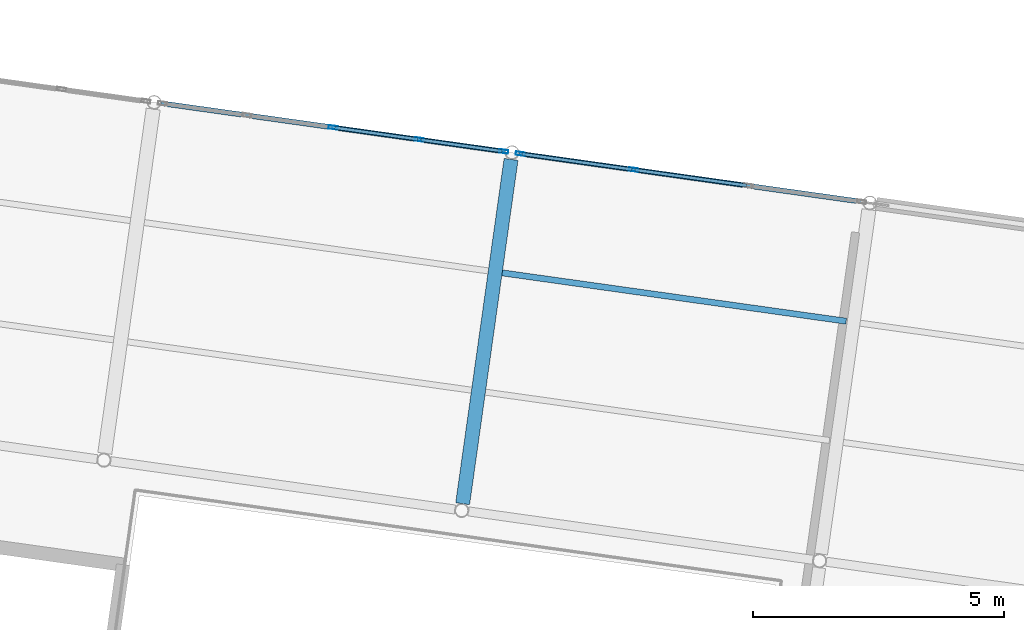
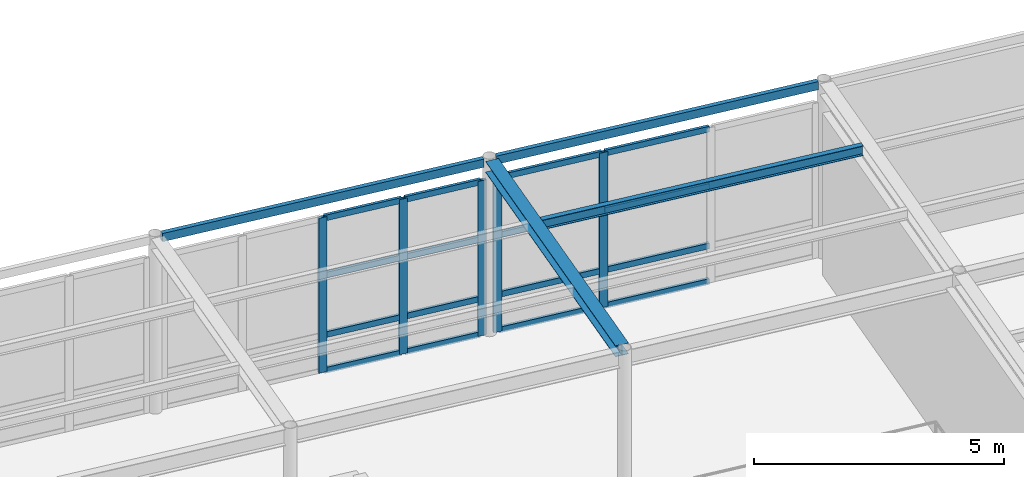
# One storey, part 29 of 67: 21 members, 4 beams, 2 elements without a shape of their own.
"""IFC4 building model written with IfcOpenShell, lengths in metres."""

from ifc_helpers import new_model, si_unit, direction, frame, origin, origin_2d, place, context, subcontext, project, spatial, hollow_rectangle, i_section, extrude, material, layer, layer_set, material_profile, profile_set, type_object, element, aggregate, save


model = new_model("IFC4")

# Units and contexts
model_context = context("Model", 3, precision=1e-05, world=origin(), true_north=direction((0.0, 1.0)))
body_context = subcontext(model_context, "Body", "Model", "MODEL_VIEW")
ifc_project = project(units=[si_unit("LENGTHUNIT", "METRE"), si_unit("AREAUNIT", "SQUARE_METRE"), si_unit("VOLUMEUNIT", "CUBIC_METRE"), si_unit("PLANEANGLEUNIT", "RADIAN"), si_unit("MASSUNIT", "GRAM", prefix="KILO")], contexts=[model_context])

# Site, building, storey
site_placement = place(None, origin())
site = spatial("IfcSite", under=ifc_project, at=site_placement, CompositionType="ELEMENT")
building_placement = place(site_placement, origin())
building = spatial("IfcBuilding", under=site, at=building_placement, Name="Kharisveld Research Institute", CompositionType="ELEMENT")
storey_placement = place(building_placement, frame((0.0, 0.0, 9.60009765625)))
storey = spatial("IfcBuildingStorey", under=building, at=storey_placement, Name="L02", CompositionType="ELEMENT", Elevation=9.60009765625)

# Beam
ifc_material_1 = material(Name="Steel S355JR", Category="steel")
ifc_material_profile_1 = material_profile(ifc_material_1, i_section(OverallWidth=0.280029296875, OverallDepth=0.27001953125, WebThickness=0.008056640625, FlangeThickness=0.012939453125, at=origin_2d()))
ifc_profile_set_1 = profile_set([ifc_material_profile_1], Name="Steel S355JR")
beam_type_1 = type_object("IfcBeamType", Name="BM_ST_HEA280", PredefinedType="BEAM", material=ifc_profile_set_1)
beam_1_placement = place(storey_placement, frame((91.282958984375, 29.890869140625, 4.169921875), z_axis=(0.139180848611, 0.990266979849, 0.0), x_axis=(-0.990266979849, 0.139180848611, 0.0)))
element("IfcBeam", 1, at=beam_1_placement, inside=storey, type_object=beam_type_1, Name="BM:V4:L02:V2_2", PredefinedType="BEAM", context=body_context, shape_type="SweptSolid", body=[
    extrude(i_section(OverallWidth=0.280029296875, OverallDepth=0.27001953125, WebThickness=0.008056640625, FlangeThickness=0.012939453125, at=origin_2d()), origin(), (0.0, 0.0, 1.0), 6.927001953125),
])

# Curtain wall, members
ifc_material_2 = material(Name="Thermally Broken Aluminium Curtain Wall", Category="aluminium")
ifc_layer_1 = layer(ifc_material_2, 0.159912109375)
ifc_layer_set_1 = layer_set([ifc_layer_1], Name="CW_SYS_05")
curtain_wall_type_1 = type_object("IfcCurtainWallType", Name="CW_SYS_05", PredefinedType="NOTDEFINED", material=ifc_layer_set_1)
curtain_wall_1_placement = place(storey_placement, origin())
curtain_wall_1 = element("IfcCurtainWall", 2, at=curtain_wall_1_placement, inside=storey, type_object=curtain_wall_type_1, Name="CW:V4:L02:N1", PredefinedType="NOTDEFINED")
ifc_material_3 = material(Name="Anodised Aluminium AW-6063-T6", Category="aluminium")
ifc_material_profile_2 = material_profile(ifc_material_3, hollow_rectangle(XDim=0.070068359375, YDim=0.179931640625, WallThickness=0.00439453125, at=origin_2d()))
ifc_profile_set_2 = profile_set([ifc_material_profile_2], Name="Anodised Aluminium AW-6063-T6")
member_type_1 = type_object("IfcMemberType", Name="CW_MUL_180", PredefinedType="MULLION", material=ifc_profile_set_2)
member_1_placement = place(storey_placement, frame((88.700927734375, 37.38671875, 0.0), z_axis=(0.0, 0.0, 1.0), x_axis=(0.139173120957, 0.990268065931, 0.0)))
member_1 = element("IfcMember", 3, at=member_1_placement, type_object=member_type_1, Name="CW-05 mullion 3", PredefinedType="MULLION", context=body_context, shape_type="SweptSolid", body=[
    extrude(hollow_rectangle(XDim=0.070068359375, YDim=0.179931640625, WallThickness=0.00439453125, at=origin_2d()), origin(), (0.0, 0.0, 1.0), 3.77978515625),
])
member_2_placement = place(storey_placement, frame((90.41845703125, 37.145263671875, 0.0), z_axis=(0.0, 0.0, 1.0), x_axis=(0.139173120957, 0.990268065931, 0.0)))
member_2 = element("IfcMember", 4, at=member_2_placement, type_object=member_type_1, Name="CW-05 mullion 4", PredefinedType="MULLION", context=body_context, shape_type="SweptSolid", body=[
    extrude(hollow_rectangle(XDim=0.070068359375, YDim=0.179931640625, WallThickness=0.00439453125, at=origin_2d()), origin(), (0.0, 0.0, 1.0), 3.77978515625),
])
member_3_placement = place(storey_placement, frame((92.10107421875, 36.908935546875, 0.0), z_axis=(0.0, 0.0, 1.0), x_axis=(0.139173120957, 0.990268065931, 0.0)))
member_3 = element("IfcMember", 5, at=member_3_placement, type_object=member_type_1, Name="CW-05 mullion 5", PredefinedType="MULLION", context=body_context, shape_type="SweptSolid", body=[
    extrude(hollow_rectangle(XDim=0.070068359375, YDim=0.179931640625, WallThickness=0.00439453125, at=origin_2d()), origin(), (0.0, 0.0, 1.0), 3.77978515625),
])

ifc_material_4 = material(Name="Thermally Broken Aluminium Curtain Wall", Category="aluminium")
ifc_layer_2 = layer(ifc_material_4, 0.159912109375)
ifc_layer_set_2 = layer_set([ifc_layer_2], Name="CW_SYS_06")
curtain_wall_type_2 = type_object("IfcCurtainWallType", Name="CW_SYS_06", PredefinedType="NOTDEFINED", material=ifc_layer_set_2)
curtain_wall_2_placement = place(storey_placement, origin())
curtain_wall_2 = element("IfcCurtainWall", 6, at=curtain_wall_2_placement, inside=storey, type_object=curtain_wall_type_2, Name="CW:V4:L02:N2", PredefinedType="NOTDEFINED")
member_4_placement = place(storey_placement, frame((92.430908203125, 36.862548828125, 0.0), z_axis=(0.0, 0.0, 1.0), x_axis=(0.139173262318, 0.990268046064, 0.0)))
member_4 = element("IfcMember", 7, at=member_4_placement, type_object=member_type_1, Name="CW-06 mullion 1", PredefinedType="MULLION", context=body_context, shape_type="SweptSolid", body=[
    extrude(hollow_rectangle(XDim=0.070068359375, YDim=0.179931640625, WallThickness=0.00439453125, at=origin_2d()), origin(), (0.0, 0.0, 1.0), 3.77978515625),
])
member_5_placement = place(storey_placement, frame((94.68603515625, 36.545654296875, 0.0), z_axis=(0.0, 0.0, 1.0), x_axis=(0.139173262318, 0.990268046064, 0.0)))
member_5 = element("IfcMember", 8, at=member_5_placement, type_object=member_type_1, Name="CW-06 mullion 2", PredefinedType="MULLION", context=body_context, shape_type="SweptSolid", body=[
    extrude(hollow_rectangle(XDim=0.070068359375, YDim=0.179931640625, WallThickness=0.00439453125, at=origin_2d()), origin(), (0.0, 0.0, 1.0), 3.77978515625),
])

# Member
ifc_material_5 = material(Name="Anodised Aluminium AW-6063-T6", Category="aluminium")
ifc_material_profile_3 = material_profile(ifc_material_5, hollow_rectangle(XDim=0.06494140625, YDim=0.139892578125, WallThickness=0.00390625, at=origin_2d()))
ifc_profile_set_3 = profile_set([ifc_material_profile_3], Name="Anodised Aluminium AW-6063-T6")
member_type_2 = type_object("IfcMemberType", Name="CW_TRN_140", PredefinedType="USERDEFINED", material=ifc_profile_set_3)
member_6_placement = place(storey_placement, frame((88.735595703125, 37.3818359375, 0.032470703125), z_axis=(0.990263846723, -0.139203138874, 0.0), x_axis=(0.139203138874, 0.990263846723, 0.0)))
member_6 = element("IfcMember", 9, at=member_6_placement, type_object=member_type_2, Name="CW-05 transom 3.1", ObjectType="TRANSOM", PredefinedType="USERDEFINED", context=body_context, shape_type="SweptSolid", body=[
    extrude(hollow_rectangle(XDim=0.06494140625, YDim=0.139892578125, WallThickness=0.00390625, at=origin_2d()), origin(), (0.0, 0.0, 1.0), 1.664306640625),
])

member_7_placement = place(storey_placement, frame((88.735595703125, 37.3818359375, 0.89990234375), z_axis=(0.990263846723, -0.139203138874, 0.0), x_axis=(0.139203138874, 0.990263846723, 0.0)))
member_7 = element("IfcMember", 10, at=member_7_placement, type_object=member_type_2, Name="CW-05 transom 3.2", ObjectType="TRANSOM", PredefinedType="USERDEFINED", context=body_context, shape_type="SweptSolid", body=[
    extrude(hollow_rectangle(XDim=0.06494140625, YDim=0.139892578125, WallThickness=0.00390625, at=origin_2d()), origin(), (0.0, 0.0, 1.0), 1.664306640625),
])

member_8_placement = place(storey_placement, frame((88.735595703125, 37.3818359375, 2.349853515625), z_axis=(0.990263846723, -0.139203138874, 0.0), x_axis=(0.139203138874, 0.990263846723, 0.0)))
member_8 = element("IfcMember", 11, at=member_8_placement, type_object=member_type_2, Name="CW-05 transom 3.3", ObjectType="TRANSOM", PredefinedType="USERDEFINED", context=body_context, shape_type="SweptSolid", body=[
    extrude(hollow_rectangle(XDim=0.06494140625, YDim=0.139892578125, WallThickness=0.00390625, at=origin_2d()), origin(), (0.0, 0.0, 1.0), 1.664306640625),
])

member_9_placement = place(storey_placement, frame((88.735595703125, 37.3818359375, 3.747314453125), z_axis=(0.990263846723, -0.139203138874, 0.0), x_axis=(0.139203138874, 0.990263846723, 0.0)))
member_9 = element("IfcMember", 12, at=member_9_placement, type_object=member_type_2, Name="CW-05 transom 3.4", ObjectType="TRANSOM", PredefinedType="USERDEFINED", context=body_context, shape_type="SweptSolid", body=[
    extrude(hollow_rectangle(XDim=0.06494140625, YDim=0.139892578125, WallThickness=0.00390625, at=origin_2d()), origin(), (0.0, 0.0, 1.0), 1.664306640625),
])

member_10_placement = place(storey_placement, frame((90.453125, 37.140380859375, 0.032470703125), z_axis=(0.990282393742, -0.139071135199, 0.0), x_axis=(0.139071135199, 0.990282393742, 0.0)))
member_10 = element("IfcMember", 13, at=member_10_placement, type_object=member_type_2, Name="CW-05 transom 4.1", ObjectType="TRANSOM", PredefinedType="USERDEFINED", context=body_context, shape_type="SweptSolid", body=[
    extrude(hollow_rectangle(XDim=0.06494140625, YDim=0.139892578125, WallThickness=0.00390625, at=origin_2d()), origin(), (0.0, 0.0, 1.0), 1.629150390625),
])

member_11_placement = place(storey_placement, frame((90.453125, 37.140380859375, 0.89990234375), z_axis=(0.990282393742, -0.139071135199, 0.0), x_axis=(0.139071135199, 0.990282393742, 0.0)))
member_11 = element("IfcMember", 14, at=member_11_placement, type_object=member_type_2, Name="CW-05 transom 4.2", ObjectType="TRANSOM", PredefinedType="USERDEFINED", context=body_context, shape_type="SweptSolid", body=[
    extrude(hollow_rectangle(XDim=0.06494140625, YDim=0.139892578125, WallThickness=0.00390625, at=origin_2d()), origin(), (0.0, 0.0, 1.0), 1.629150390625),
])

member_12_placement = place(storey_placement, frame((90.453125, 37.140380859375, 2.349853515625), z_axis=(0.990282393742, -0.139071135199, 0.0), x_axis=(0.139071135199, 0.990282393742, 0.0)))
member_12 = element("IfcMember", 15, at=member_12_placement, type_object=member_type_2, Name="CW-05 transom 4.3", ObjectType="TRANSOM", PredefinedType="USERDEFINED", context=body_context, shape_type="SweptSolid", body=[
    extrude(hollow_rectangle(XDim=0.06494140625, YDim=0.139892578125, WallThickness=0.00390625, at=origin_2d()), origin(), (0.0, 0.0, 1.0), 1.629150390625),
])

member_13_placement = place(storey_placement, frame((90.453125, 37.140380859375, 3.747314453125), z_axis=(0.990282393742, -0.139071135199, 0.0), x_axis=(0.139071135199, 0.990282393742, 0.0)))
member_13 = element("IfcMember", 16, at=member_13_placement, type_object=member_type_2, Name="CW-05 transom 4.4", ObjectType="TRANSOM", PredefinedType="USERDEFINED", context=body_context, shape_type="SweptSolid", body=[
    extrude(hollow_rectangle(XDim=0.06494140625, YDim=0.139892578125, WallThickness=0.00390625, at=origin_2d()), origin(), (0.0, 0.0, 1.0), 1.629150390625),
])

aggregate(curtain_wall_1, [member_1, member_2, member_3, member_6, member_7, member_8, member_9, member_10, member_11, member_12, member_13])

member_14_placement = place(storey_placement, frame((92.465576171875, 36.857666015625, 0.032470703125), z_axis=(0.990272063635, -0.139144672853, 0.0), x_axis=(0.139144672853, 0.990272063635, 0.0)))
member_14 = element("IfcMember", 17, at=member_14_placement, type_object=member_type_2, Name="CW-06 transom 1.1", ObjectType="TRANSOM", PredefinedType="USERDEFINED", context=body_context, shape_type="SweptSolid", body=[
    extrude(hollow_rectangle(XDim=0.06494140625, YDim=0.139892578125, WallThickness=0.00390625, at=origin_2d()), origin(), (0.0, 0.0, 1.0), 2.207275390625),
])

member_15_placement = place(storey_placement, frame((92.465576171875, 36.857666015625, 0.89990234375), z_axis=(0.990272063635, -0.139144672853, 0.0), x_axis=(0.139144672853, 0.990272063635, 0.0)))
member_15 = element("IfcMember", 18, at=member_15_placement, type_object=member_type_2, Name="CW-06 transom 1.2", ObjectType="TRANSOM", PredefinedType="USERDEFINED", context=body_context, shape_type="SweptSolid", body=[
    extrude(hollow_rectangle(XDim=0.06494140625, YDim=0.139892578125, WallThickness=0.00390625, at=origin_2d()), origin(), (0.0, 0.0, 1.0), 2.207275390625),
])

member_16_placement = place(storey_placement, frame((92.465576171875, 36.857666015625, 2.349853515625), z_axis=(0.990272063635, -0.139144672853, 0.0), x_axis=(0.139144672853, 0.990272063635, 0.0)))
member_16 = element("IfcMember", 19, at=member_16_placement, type_object=member_type_2, Name="CW-06 transom 1.3", ObjectType="TRANSOM", PredefinedType="USERDEFINED", context=body_context, shape_type="SweptSolid", body=[
    extrude(hollow_rectangle(XDim=0.06494140625, YDim=0.139892578125, WallThickness=0.00390625, at=origin_2d()), origin(), (0.0, 0.0, 1.0), 2.207275390625),
])

member_17_placement = place(storey_placement, frame((92.465576171875, 36.857666015625, 3.747314453125), z_axis=(0.990272063635, -0.139144672853, 0.0), x_axis=(0.139144672853, 0.990272063635, 0.0)))
member_17 = element("IfcMember", 20, at=member_17_placement, type_object=member_type_2, Name="CW-06 transom 1.4", ObjectType="TRANSOM", PredefinedType="USERDEFINED", context=body_context, shape_type="SweptSolid", body=[
    extrude(hollow_rectangle(XDim=0.06494140625, YDim=0.139892578125, WallThickness=0.00390625, at=origin_2d()), origin(), (0.0, 0.0, 1.0), 2.207275390625),
])

member_18_placement = place(storey_placement, frame((94.720703125, 36.540771484375, 0.032470703125), z_axis=(0.990271353113, -0.139149729442, 0.0), x_axis=(0.139149729442, 0.990271353113, 0.0)))
member_18 = element("IfcMember", 21, at=member_18_placement, type_object=member_type_2, Name="CW-06 transom 2.1", ObjectType="TRANSOM", PredefinedType="USERDEFINED", context=body_context, shape_type="SweptSolid", body=[
    extrude(hollow_rectangle(XDim=0.06494140625, YDim=0.139892578125, WallThickness=0.00390625, at=origin_2d()), origin(), (0.0, 0.0, 1.0), 2.2421875),
])

member_19_placement = place(storey_placement, frame((94.720703125, 36.540771484375, 0.89990234375), z_axis=(0.990271353113, -0.139149729442, 0.0), x_axis=(0.139149729442, 0.990271353113, 0.0)))
member_19 = element("IfcMember", 22, at=member_19_placement, type_object=member_type_2, Name="CW-06 transom 2.2", ObjectType="TRANSOM", PredefinedType="USERDEFINED", context=body_context, shape_type="SweptSolid", body=[
    extrude(hollow_rectangle(XDim=0.06494140625, YDim=0.139892578125, WallThickness=0.00390625, at=origin_2d()), origin(), (0.0, 0.0, 1.0), 2.2421875),
])

member_20_placement = place(storey_placement, frame((94.720703125, 36.540771484375, 2.349853515625), z_axis=(0.990271353113, -0.139149729442, 0.0), x_axis=(0.139149729442, 0.990271353113, 0.0)))
member_20 = element("IfcMember", 23, at=member_20_placement, type_object=member_type_2, Name="CW-06 transom 2.3", ObjectType="TRANSOM", PredefinedType="USERDEFINED", context=body_context, shape_type="SweptSolid", body=[
    extrude(hollow_rectangle(XDim=0.06494140625, YDim=0.139892578125, WallThickness=0.00390625, at=origin_2d()), origin(), (0.0, 0.0, 1.0), 2.2421875),
])

member_21_placement = place(storey_placement, frame((94.720703125, 36.540771484375, 3.747314453125), z_axis=(0.990271353113, -0.139149729442, 0.0), x_axis=(0.139149729442, 0.990271353113, 0.0)))
member_21 = element("IfcMember", 24, at=member_21_placement, type_object=member_type_2, Name="CW-06 transom 2.4", ObjectType="TRANSOM", PredefinedType="USERDEFINED", context=body_context, shape_type="SweptSolid", body=[
    extrude(hollow_rectangle(XDim=0.06494140625, YDim=0.139892578125, WallThickness=0.00390625, at=origin_2d()), origin(), (0.0, 0.0, 1.0), 2.2421875),
])

aggregate(curtain_wall_2, [member_4, member_5, member_14, member_15, member_16, member_17, member_18, member_19, member_20, member_21])

# Beams
ifc_material_6 = material(Name="Steel S355JR", Category="steel")
ifc_material_profile_4 = material_profile(ifc_material_6, i_section(OverallWidth=0.1201171875, OverallDepth=0.239990234375, WebThickness=0.006103515625, FlangeThickness=0.009765625, at=origin_2d()))
ifc_profile_set_4 = profile_set([ifc_material_profile_4], Name="Steel S355JR")
beam_type_2 = type_object("IfcBeamType", Name="JS_ST_IPE240", PredefinedType="JOIST", material=ifc_profile_set_4)
beam_2_placement = place(storey_placement, frame((92.070556640625, 34.489501953125, 4.184814453125), z_axis=(0.990272155941, -0.139144015926, 0.0), x_axis=(0.139144015926, 0.990272155941, 0.0)))
element("IfcBeam", 25, at=beam_2_placement, inside=storey, type_object=beam_type_2, Name="BM:V4:L02:J_2_2_R2", PredefinedType="JOIST", context=body_context, shape_type="SweptSolid", body=[
    extrude(i_section(OverallWidth=0.1201171875, OverallDepth=0.239990234375, WebThickness=0.006103515625, FlangeThickness=0.009765625, at=origin_2d()), origin(), (0.0, 0.0, 1.0), 6.920166015625),
])
ifc_material_7 = material(Name="Steel S355J2H", Category="steel")
ifc_material_profile_5 = material_profile(ifc_material_7, hollow_rectangle(XDim=0.10009765625, YDim=0.199951171875, WallThickness=0.008056640625, at=origin_2d()))
ifc_profile_set_5 = profile_set([ifc_material_profile_5], Name="Steel S355J2H")
beam_type_3 = type_object("IfcBeamType", Name="SP_ST_RHS200", PredefinedType="SPANDREL", material=ifc_profile_set_5)
for number, where, z_axis, x_axis, name in (
    (26, (85.271240234375, 37.86865234375, 4.204833984375), (0.990271836897, -0.13914628651, 0.0), (0.13914628651, 0.990271836897, 0.0), "BM:V4:L02:U1_3"),
    (27, (92.401123046875, 36.86669921875, 4.204833984375), (0.990266979849, -0.139180848611, 0.0), (0.139180848611, 0.990266979849, 0.0), "BM:V4:L02:U2_3"),
):
    element("IfcBeam", number, at=place(storey_placement, frame(where, z_axis=z_axis, x_axis=x_axis)), inside=storey, type_object=beam_type_3, Name=name, PredefinedType="SPANDREL", context=body_context, shape_type="SweptSolid", body=[
        extrude(hollow_rectangle(XDim=0.10009765625, YDim=0.199951171875, WallThickness=0.008056640625, at=origin_2d()), origin(), (0.0, 0.0, 1.0), 6.927001953125),
    ])

save(model, "model.ifc")
